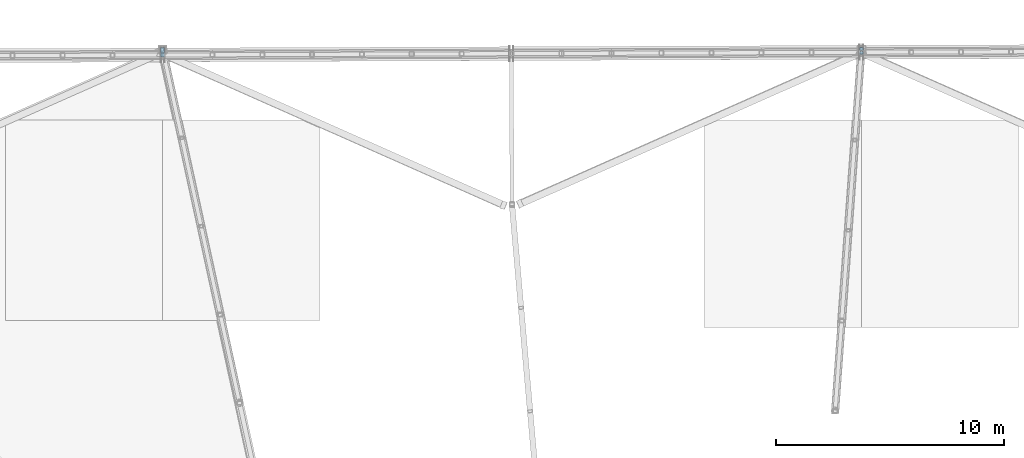
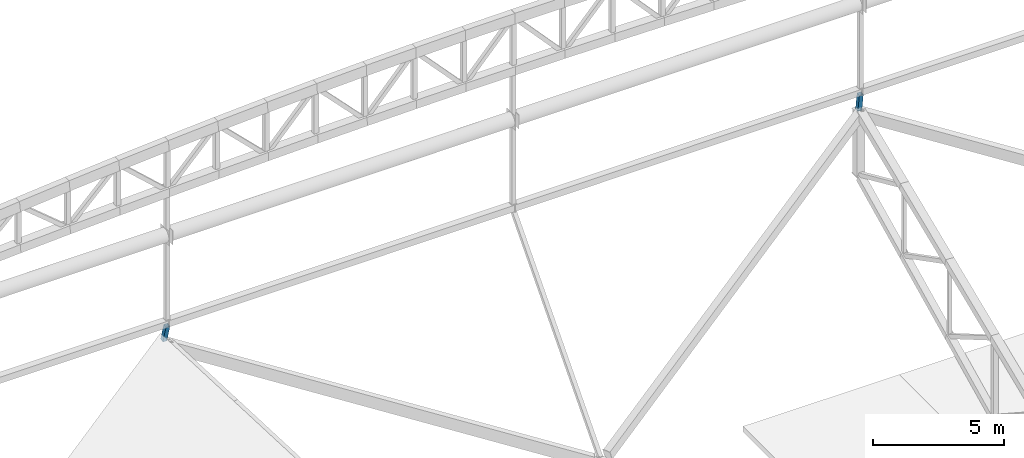
# One storey, part 114 of 188: 2 members.
"""IFC4 building model written with IfcOpenShell, lengths in metres."""

from ifc_helpers import new_model, si_unit, direction, frame, origin, origin_2d, place, context, subcontext, project, spatial, hollow_rectangle, extrude, material, material_profile, profile_set, type_object, element, save


model = new_model("IFC4")

# Units and contexts
model_context = context("Model", 3, precision=1e-05, world=origin(), true_north=direction((0.0, 1.0)))
body_context = subcontext(model_context, "Body", "Model", "MODEL_VIEW")
ifc_project = project(units=[si_unit("LENGTHUNIT", "METRE"), si_unit("AREAUNIT", "SQUARE_METRE"), si_unit("VOLUMEUNIT", "CUBIC_METRE"), si_unit("PLANEANGLEUNIT", "RADIAN"), si_unit("MASSUNIT", "GRAM", prefix="KILO")], contexts=[model_context])

# Site, building, storey
site_placement = place(None, origin())
site = spatial("IfcSite", under=ifc_project, at=site_placement, CompositionType="ELEMENT")
building_placement = place(site_placement, origin())
building = spatial("IfcBuilding", under=site, at=building_placement, Name="Meseta Stadium", CompositionType="ELEMENT")
storey_placement = place(building_placement, frame((0.0, 0.0, 30.0)))
storey = spatial("IfcBuildingStorey", under=building, at=storey_placement, Name="ROOF", CompositionType="ELEMENT", Elevation=30.0)

# Members
ifc_material = material(Name="Steel S355", Category="steel")
ifc_material_profile = material_profile(ifc_material, hollow_rectangle(XDim=0.179931640625, YDim=0.179931640625, WallThickness=0.00634765625, at=origin_2d()), Name="SHS 180x180x6.3")
ifc_profile_set = profile_set([ifc_material_profile], Name="Steel S355")
member_type = type_object("IfcMemberType", Name="SHS 180x180x6.3 hanger", PredefinedType="STRUT", material=ifc_profile_set)
member_1_placement = place(storey_placement, frame((7.667236328125, 105.281982421875, 11.300048828125), z_axis=(-0.000593682281, 0.143374270747, -0.989668361639), x_axis=(-0.999991427053, -0.004140751251, 0.0)))
element("IfcMember", 1, at=member_1_placement, inside=storey, type_object=member_type, Name="GABLE ARCH GA-N hanger RT-18", PredefinedType="STRUT", context=body_context, shape_type="SweptSolid", body=[
    extrude(hollow_rectangle(XDim=0.179931640625, YDim=0.179931640625, WallThickness=0.00634765625, at=origin_2d()), origin(), (0.0, 0.0, 1.0), 0.822509765625),
])
member_2_placement = place(storey_placement, frame((-22.9990234375, 105.1640625, 11.300048828125), z_axis=(-0.00114665083, 0.276916175359, -0.96089339524), x_axis=(-0.999991427053, -0.004140751251, 0.0)))
element("IfcMember", 2, at=member_2_placement, inside=storey, type_object=member_type, Name="GABLE ARCH GA-N hanger RT-20", PredefinedType="STRUT", context=body_context, shape_type="SweptSolid", body=[
    extrude(hollow_rectangle(XDim=0.179931640625, YDim=0.179931640625, WallThickness=0.00634765625, at=origin_2d()), origin(), (0.0, 0.0, 1.0), 0.8515625),
])

save(model, "model.ifc")
